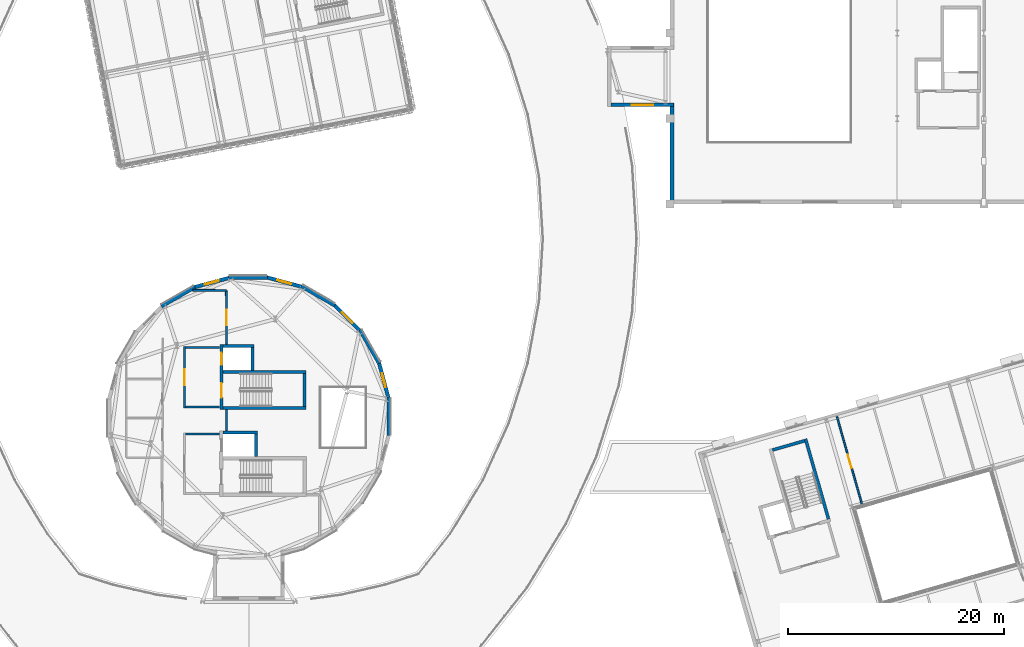
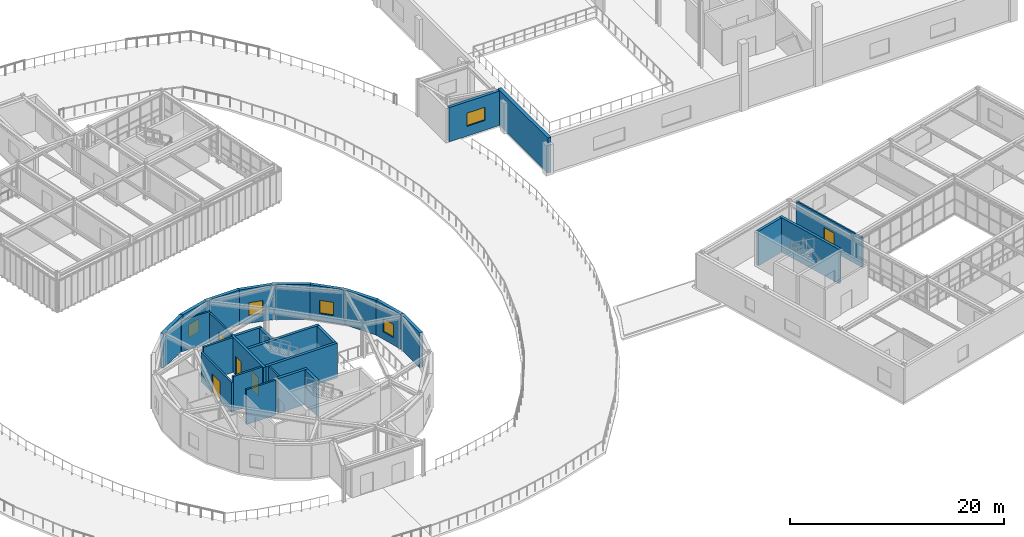
# One storey, part 34 of 59: 29 walls, 5 doors, 5 windows, 10 openings.
"""IFC4 building model written with IfcOpenShell, lengths in metres."""

from ifc_helpers import new_model, si_unit, direction, frame, frame_2d, origin, place, context, subcontext, project, spatial, rectangle, extrude, material, layer, layer_set, type_object, element, fill, save


model = new_model("IFC4")

# Units and contexts
model_context = context("Model", 3, precision=1e-05, world=origin(), true_north=direction((0.0, 1.0)))
body_context = subcontext(model_context, "Body", "Model", "MODEL_VIEW")
ifc_project = project(units=[si_unit("LENGTHUNIT", "METRE"), si_unit("AREAUNIT", "SQUARE_METRE"), si_unit("VOLUMEUNIT", "CUBIC_METRE"), si_unit("PLANEANGLEUNIT", "RADIAN"), si_unit("MASSUNIT", "GRAM", prefix="KILO")], contexts=[model_context])

# Site, building, storey
site_placement = place(None, origin())
site = spatial("IfcSite", under=ifc_project, at=site_placement, CompositionType="ELEMENT")
building_placement = place(site_placement, origin())
building = spatial("IfcBuilding", under=site, at=building_placement, Name="Varnklinge Art Gallery", CompositionType="ELEMENT")
storey_placement = place(building_placement, frame((0.0, 0.0, 9.52001953125)))
storey = spatial("IfcBuildingStorey", under=building, at=storey_placement, Name="L02", CompositionType="ELEMENT", Elevation=9.52001953125)

# Wall, opening, window
ifc_material_1 = material(Name="Precast concrete C40/50", Category="concrete")
ifc_layer_1 = layer(ifc_material_1, 0.320068359375)
ifc_layer_set_1 = layer_set([ifc_layer_1], Name="Precast concrete C40/50")
wall_type_1 = type_object("IfcWallType", Name="EW-32", PredefinedType="SOLIDWALL", material=ifc_layer_set_1)
wall_1_placement = place(storey_placement, frame((114.75, 67.360107421875, 0.0), z_axis=(0.0, 0.0, 1.0), x_axis=(-1.0, 0.0, 0.0)))
wall_1 = element("IfcWall", 1, at=wall_1_placement, inside=storey, type_object=wall_type_1, Name="L02 Gallery Link Wall EW-LNK-V1-L02-S", PredefinedType="SOLIDWALL", context=body_context, shape_type="SweptSolid", body=[
    extrude(rectangle(XDim=5.775634765625, YDim=0.320068359375, at=frame_2d((2.8876953125, 0.0))), origin(), (0.0, 0.0, 1.0), 3.909912109375),
])
opening_1_placement = place(wall_1_placement, frame((1.912841796875, 0.0, 1.1201171875)))
opening_1 = element("IfcOpeningElement", 2, at=opening_1_placement, cuts=wall_1, Name="Opening WN-05", PredefinedType="OPENING", context=body_context, shape_type="SweptSolid", body=[
    extrude(rectangle(XDim=1.949951171875, YDim=1.5, at=frame_2d((0.97509765625, 0.75))), frame((0.0, 0.170166015625, 0.0), z_axis=(0.0, -1.0, 0.0), x_axis=(1.0, 0.0, 0.0)), (0.0, 0.0, 1.0), 0.340087890625),
])
ifc_material_2 = material(Name="Insulated Low-E Triple Glazing", Category="glass")
window_type_1 = type_object("IfcWindowType", Name="WN-05", PartitioningType="SINGLE_PANEL", PredefinedType="WINDOW", material=ifc_material_2)
window_1_placement = place(opening_1_placement, origin())
window_1 = element("IfcWindow", 3, at=window_1_placement, inside=storey, type_object=window_type_1, Name="L02 Window WIN-L02-212", OverallHeight=1.5, OverallWidth=1.949951171875, PartitioningType="SINGLE_PANEL", PredefinedType="WINDOW", context=body_context, shape_type="SweptSolid", body=[
    extrude(rectangle(XDim=1.949951171875, YDim=1.5, at=frame_2d((0.97509765625, 0.75))), frame((0.0, 0.030029296875, 0.0), z_axis=(0.0, -1.0, 0.0), x_axis=(1.0, 0.0, 0.0)), (0.0, 0.0, 1.0), 0.06005859375),
])
fill(opening_1, window_1)

# Walls
ifc_material_3 = material(Name="Precast concrete C40/50", Category="concrete")
ifc_layer_2 = layer(ifc_material_3, 0.340087890625)
ifc_layer_set_2 = layer_set([ifc_layer_2], Name="Precast concrete C40/50")
wall_type_2 = type_object("IfcWallType", Name="EW-34", PredefinedType="SOLIDWALL", material=ifc_layer_set_2)
wall_2_placement = place(storey_placement, frame((88.4169921875, 40.37060546875, 0.0), z_axis=(0.0, 0.0, 1.0), x_axis=(0.0, -1.0, 0.0)))
element("IfcWall", 4, at=wall_2_placement, inside=storey, type_object=wall_type_2, Name="L02 Exterior Wall EW-V4D-L02-01", PredefinedType="SOLIDWALL", context=body_context, shape_type="SweptSolid", body=[
    extrude(rectangle(XDim=3.571044921875, YDim=0.340087890625, at=frame_2d((1.78564453125, 0.0))), origin(), (0.0, 0.0, 1.0), 3.9599609375),
])
wall_3_placement = place(storey_placement, frame((67.42138671875, 48.751220703125, 0.0), z_axis=(0.0, 0.0, 1.0), x_axis=(0.866021650523, 0.500006500783, 0.0)))
element("IfcWall", 5, at=wall_3_placement, inside=storey, type_object=wall_type_2, Name="L02 Exterior Wall EW-V4D-L02-16", PredefinedType="SOLIDWALL", context=body_context, shape_type="SweptSolid", body=[
    extrude(rectangle(XDim=3.5712890625, YDim=0.340087890625, at=frame_2d((1.78564453125, 0.0))), origin(), (0.0, 0.0, 1.0), 3.9599609375),
])

# Wall, opening, window
wall_4_placement = place(storey_placement, frame((70.35009765625, 50.492919921875, 0.0), z_axis=(0.0, 0.0, 1.0), x_axis=(0.965940423242, 0.258764562387, 0.0)))
wall_4 = element("IfcWall", 6, at=wall_4_placement, inside=storey, type_object=wall_type_2, Name="L02 Exterior Wall EW-V4D-L02-17", PredefinedType="SOLIDWALL", context=body_context, shape_type="SweptSolid", body=[
    extrude(rectangle(XDim=3.571044921875, YDim=0.340087890625, at=frame_2d((1.78564453125, 0.0))), origin(), (0.0, 0.0, 1.0), 3.9599609375),
])
opening_2_placement = place(wall_4_placement, frame((1.110595703125, 0.0, 0.85009765625)))
opening_2 = element("IfcOpeningElement", 7, at=opening_2_placement, cuts=wall_4, Name="Opening WN-02", PredefinedType="OPENING", context=body_context, shape_type="SweptSolid", body=[
    extrude(rectangle(XDim=1.35009765625, YDim=1.5, at=frame_2d((0.675048828125, 0.75))), frame((0.0, 0.179931640625, 0.0), z_axis=(0.0, -1.0, 0.0), x_axis=(1.0, 0.0, 0.0)), (0.0, 0.0, 1.0), 0.360107421875),
])
ifc_material_4 = material(Name="Insulated Low-E Triple Glazing", Category="glass")
window_type_2 = type_object("IfcWindowType", Name="WN-02", PartitioningType="SINGLE_PANEL", PredefinedType="WINDOW", material=ifc_material_4)
window_2_placement = place(opening_2_placement, origin())
window_2 = element("IfcWindow", 8, at=window_2_placement, inside=storey, type_object=window_type_2, Name="L02 Window WIN-L02-092", OverallHeight=1.5, OverallWidth=1.35009765625, PartitioningType="SINGLE_PANEL", PredefinedType="WINDOW", context=body_context, shape_type="SweptSolid", body=[
    extrude(rectangle(XDim=1.35009765625, YDim=1.5, at=frame_2d((0.675048828125, 0.75))), frame((0.0, 0.030029296875, 0.0), z_axis=(0.0, -1.0, 0.0), x_axis=(1.0, 0.0, 0.0)), (0.0, 0.0, 1.0), 0.06005859375),
])
fill(opening_2, window_2)

# Wall
wall_5_placement = place(storey_placement, frame((73.62939453125, 51.4169921875, 0.0), z_axis=(0.0, 0.0, 1.0), x_axis=(1.0, 0.0, 0.0)))
element("IfcWall", 9, at=wall_5_placement, inside=storey, type_object=wall_type_2, Name="L02 Exterior Wall EW-V4D-L02-18", PredefinedType="SOLIDWALL", context=body_context, shape_type="SweptSolid", body=[
    extrude(rectangle(XDim=3.571044921875, YDim=0.340087890625, at=frame_2d((1.78564453125, 0.0))), origin(), (0.0, 0.0, 1.0), 3.9599609375),
])

# Wall, opening, window
wall_6_placement = place(storey_placement, frame((77.036376953125, 51.461181640625, 0.0), z_axis=(0.0, 0.0, 1.0), x_axis=(0.965923333327, -0.258828348784, 0.0)))
wall_6 = element("IfcWall", 10, at=wall_6_placement, inside=storey, type_object=wall_type_2, Name="L02 Exterior Wall EW-V4D-L02-19", PredefinedType="SOLIDWALL", context=body_context, shape_type="SweptSolid", body=[
    extrude(rectangle(XDim=3.571044921875, YDim=0.340087890625, at=frame_2d((1.78564453125, 0.0))), origin(), (0.0, 0.0, 1.0), 3.9599609375),
])
opening_3_placement = place(wall_6_placement, frame((1.110595703125, 0.0, 0.85009765625)))
opening_3 = element("IfcOpeningElement", 11, at=opening_3_placement, cuts=wall_6, Name="Opening WN-02", PredefinedType="OPENING", context=body_context, shape_type="SweptSolid", body=[
    extrude(rectangle(XDim=1.35009765625, YDim=1.5, at=frame_2d((0.675048828125, 0.75))), frame((0.0, 0.179931640625, 0.0), z_axis=(0.0, -1.0, 0.0), x_axis=(1.0, 0.0, 0.0)), (0.0, 0.0, 1.0), 0.360107421875),
])
window_3_placement = place(opening_3_placement, origin())
window_3 = element("IfcWindow", 12, at=window_3_placement, inside=storey, type_object=window_type_2, Name="L02 Window WIN-L02-093", OverallHeight=1.5, OverallWidth=1.35009765625, PartitioningType="SINGLE_PANEL", PredefinedType="WINDOW", context=body_context, shape_type="SweptSolid", body=[
    extrude(rectangle(XDim=1.35009765625, YDim=1.5, at=frame_2d((0.675048828125, 0.75))), frame((0.0, 0.030029296875, 0.0), z_axis=(0.0, -1.0, 0.0), x_axis=(1.0, 0.0, 0.0)), (0.0, 0.0, 1.0), 0.06005859375),
])
fill(opening_3, window_3)

# Wall
wall_7_placement = place(storey_placement, frame((80.338623046875, 50.621826171875, 0.0), z_axis=(0.0, 0.0, 1.0), x_axis=(0.866021650523, -0.500006500783, 0.0)))
element("IfcWall", 13, at=wall_7_placement, inside=storey, type_object=wall_type_2, Name="L02 Exterior Wall EW-V4D-L02-20", PredefinedType="SOLIDWALL", context=body_context, shape_type="SweptSolid", body=[
    extrude(rectangle(XDim=3.5712890625, YDim=0.340087890625, at=frame_2d((1.78564453125, 0.0))), origin(), (0.0, 0.0, 1.0), 3.9599609375),
])

# Wall, opening, window
wall_8_placement = place(storey_placement, frame((83.31103515625, 48.95654296875, 0.0), z_axis=(0.0, 0.0, 1.0), x_axis=(0.707106781187, -0.707106781187, 0.0)))
wall_8 = element("IfcWall", 14, at=wall_8_placement, inside=storey, type_object=wall_type_2, Name="L02 Exterior Wall EW-V4D-L02-21", PredefinedType="SOLIDWALL", context=body_context, shape_type="SweptSolid", body=[
    extrude(rectangle(XDim=3.571044921875, YDim=0.340087890625, at=frame_2d((1.78564453125, 0.0))), origin(), (0.0, 0.0, 1.0), 3.9599609375),
])
opening_4_placement = place(wall_8_placement, frame((1.110595703125, 0.0, 0.85009765625)))
opening_4 = element("IfcOpeningElement", 15, at=opening_4_placement, cuts=wall_8, Name="Opening WN-02", PredefinedType="OPENING", context=body_context, shape_type="SweptSolid", body=[
    extrude(rectangle(XDim=1.35009765625, YDim=1.5, at=frame_2d((0.675048828125, 0.75))), frame((0.0, 0.179931640625, 0.0), z_axis=(0.0, -1.0, 0.0), x_axis=(1.0, 0.0, 0.0)), (0.0, 0.0, 1.0), 0.360107421875),
])
window_4_placement = place(opening_4_placement, origin())
window_4 = element("IfcWindow", 16, at=window_4_placement, inside=storey, type_object=window_type_2, Name="L02 Window WIN-L02-094", OverallHeight=1.5, OverallWidth=1.35009765625, PartitioningType="SINGLE_PANEL", PredefinedType="WINDOW", context=body_context, shape_type="SweptSolid", body=[
    extrude(rectangle(XDim=1.35009765625, YDim=1.5, at=frame_2d((0.675048828125, 0.75))), frame((0.0, 0.030029296875, 0.0), z_axis=(0.0, -1.0, 0.0), x_axis=(1.0, 0.0, 0.0)), (0.0, 0.0, 1.0), 0.06005859375),
])
fill(opening_4, window_4)

# Wall
wall_9_placement = place(storey_placement, frame((85.751220703125, 46.57861328125, 0.0), z_axis=(0.0, 0.0, 1.0), x_axis=(0.500006500783, -0.866021650523, 0.0)))
element("IfcWall", 17, at=wall_9_placement, inside=storey, type_object=wall_type_2, Name="L02 Exterior Wall EW-V4D-L02-22", PredefinedType="SOLIDWALL", context=body_context, shape_type="SweptSolid", body=[
    extrude(rectangle(XDim=3.5712890625, YDim=0.340087890625, at=frame_2d((1.78564453125, 0.0))), origin(), (0.0, 0.0, 1.0), 3.9599609375),
])

# Wall, opening, window
wall_10_placement = place(storey_placement, frame((87.492919921875, 43.64990234375, 0.0), z_axis=(0.0, 0.0, 1.0), x_axis=(0.258764562387, -0.965940423242, 0.0)))
wall_10 = element("IfcWall", 18, at=wall_10_placement, inside=storey, type_object=wall_type_2, Name="L02 Exterior Wall EW-V4D-L02-23", PredefinedType="SOLIDWALL", context=body_context, shape_type="SweptSolid", body=[
    extrude(rectangle(XDim=3.571044921875, YDim=0.340087890625, at=frame_2d((1.78564453125, 0.0))), origin(), (0.0, 0.0, 1.0), 3.9599609375),
])
opening_5_placement = place(wall_10_placement, frame((1.110595703125, 0.0, 0.85009765625)))
opening_5 = element("IfcOpeningElement", 19, at=opening_5_placement, cuts=wall_10, Name="Opening WN-02", PredefinedType="OPENING", context=body_context, shape_type="SweptSolid", body=[
    extrude(rectangle(XDim=1.35009765625, YDim=1.5, at=frame_2d((0.675048828125, 0.75))), frame((0.0, 0.179931640625, 0.0), z_axis=(0.0, -1.0, 0.0), x_axis=(1.0, 0.0, 0.0)), (0.0, 0.0, 1.0), 0.360107421875),
])
window_5_placement = place(opening_5_placement, origin())
window_5 = element("IfcWindow", 20, at=window_5_placement, inside=storey, type_object=window_type_2, Name="L02 Window WIN-L02-095", OverallHeight=1.5, OverallWidth=1.35009765625, PartitioningType="SINGLE_PANEL", PredefinedType="WINDOW", context=body_context, shape_type="SweptSolid", body=[
    extrude(rectangle(XDim=1.35009765625, YDim=1.5, at=frame_2d((0.675048828125, 0.75))), frame((0.0, 0.030029296875, 0.0), z_axis=(0.0, -1.0, 0.0), x_axis=(1.0, 0.0, 0.0)), (0.0, 0.0, 1.0), 0.06005859375),
])
fill(opening_5, window_5)

# Wall
ifc_material_5 = material(Name="Concrete C40/50", Category="concrete")
ifc_layer_3 = layer(ifc_material_5, 0.360107421875)
ifc_layer_set_3 = layer_set([ifc_layer_3], Name="Concrete C40/50")
wall_type_3 = type_object("IfcWallType", Name="EW-36", PredefinedType="SOLIDWALL", material=ifc_layer_set_3)
wall_11_placement = place(storey_placement, frame((114.580078125, 58.199951171875, 0.0), z_axis=(0.0, 0.0, 1.0), x_axis=(0.0, 1.0, 0.0)))
element("IfcWall", 21, at=wall_11_placement, inside=storey, type_object=wall_type_3, Name="L02 Exterior Wall EW-V1-L02-01", PredefinedType="SOLIDWALL", context=body_context, shape_type="SweptSolid", body=[
    extrude(rectangle(XDim=9.320068359375, YDim=0.360107421875, at=frame_2d((4.66015625, 0.0))), origin(), (0.0, 0.0, 1.0), 4.0),
])

# Wall, opening, door
ifc_material_6 = material(Name="Gypsum Board Partition", Category="gypsum")
ifc_layer_4 = layer(ifc_material_6, 0.159912109375)
ifc_layer_set_4 = layer_set([ifc_layer_4], Name="Gypsum Board Partition")
wall_type_4 = type_object("IfcWallType", Name="IW-16", PredefinedType="PARTITIONING", material=ifc_layer_set_4)
wall_12_placement = place(storey_placement, frame((129.8271484375, 38.555908203125, 0.0), z_axis=(0.0, 0.0, 1.0), x_axis=(0.275653938158, -0.961256940874, 0.0)))
wall_12 = element("IfcWall", 22, at=wall_12_placement, inside=storey, type_object=wall_type_4, Name="L02 Partition Wall IW-L02-0306", PredefinedType="PARTITIONING", context=body_context, shape_type="SweptSolid", body=[
    extrude(rectangle(XDim=8.606201171875, YDim=0.159912109375, at=frame_2d((4.30322265625, 0.0))), origin(), (0.0, 0.0, 1.0), 3.409912109375),
])
opening_6_placement = place(wall_12_placement, frame((3.653076171875, 0.0, 0.0)))
opening_6 = element("IfcOpeningElement", 23, at=opening_6_placement, cuts=wall_12, Name="Opening D-L02-243", PredefinedType="OPENING", context=body_context, shape_type="SweptSolid", body=[
    extrude(rectangle(XDim=1.300048828125, YDim=2.14990234375, at=frame_2d((0.64990234375, 1.074951171875))), frame((0.0, 0.090087890625, 0.0), z_axis=(0.0, -1.0, 0.0), x_axis=(1.0, 0.0, 0.0)), (0.0, 0.0, 1.0), 0.179931640625),
])
ifc_material_7 = material(Name="Oak Timber Leaf", Category="wood")
door_type_1 = type_object("IfcDoorType", Name="ID-11", OperationType="SINGLE_SWING_LEFT", PredefinedType="DOOR", material=ifc_material_7)
door_1_placement = place(opening_6_placement, origin())
door_1 = element("IfcDoor", 24, at=door_1_placement, inside=storey, type_object=door_type_1, Name="L02 L02 Artists Studio 3 Door D-L02-243", OperationType="SINGLE_SWING_LEFT", OverallHeight=2.14990234375, OverallWidth=1.300048828125, PredefinedType="DOOR", context=body_context, shape_type="SweptSolid", body=[
    extrude(rectangle(XDim=1.300048828125, YDim=2.14990234375, at=frame_2d((0.64990234375, 1.074951171875))), frame((0.0, 0.02490234375, 0.0), z_axis=(0.0, -1.0, 0.0), x_axis=(1.0, 0.0, 0.0)), (0.0, 0.0, 1.0), 0.050048828125),
])
fill(opening_6, door_1)

# Wall
ifc_material_8 = material(Name="Gypsum Board Partition", Category="gypsum")
ifc_layer_5 = layer(ifc_material_8, 0.179931640625)
ifc_layer_set_5 = layer_set([ifc_layer_5], Name="Gypsum Board Partition")
wall_type_5 = type_object("IfcWallType", Name="IW-18", PredefinedType="PARTITIONING", material=ifc_layer_set_5)
wall_13_placement = place(storey_placement, frame((70.330810546875, 50.22998046875, 0.0), z_axis=(0.0, 0.0, 1.0), x_axis=(0.999990921946, -0.004260988699, 0.0)))
element("IfcWall", 25, at=wall_13_placement, inside=storey, type_object=wall_type_5, Name="L02 Partition Wall IW-L02-0290", PredefinedType="PARTITIONING", context=body_context, shape_type="SweptSolid", body=[
    extrude(rectangle(XDim=3.093994140625, YDim=0.179931640625, at=frame_2d((1.546875, 0.0))), origin(), (0.0, 0.0, 1.0), 3.550048828125),
])

# Wall, opening, door
wall_14_placement = place(storey_placement, frame((73.4248046875, 50.216796875, 0.0), z_axis=(0.0, 0.0, 1.0), x_axis=(0.0010330573, -0.999999466396, 0.0)))
wall_14 = element("IfcWall", 26, at=wall_14_placement, inside=storey, type_object=wall_type_5, Name="L02 Partition Wall IW-L02-0291", PredefinedType="PARTITIONING", context=body_context, shape_type="SweptSolid", body=[
    extrude(rectangle(XDim=4.962890625, YDim=0.179931640625, at=frame_2d((2.4814453125, 0.0))), origin(), (0.0, 0.0, 1.0), 3.35009765625),
])
opening_7_placement = place(wall_14_placement, frame((1.771484375, 0.0, 0.0)))
opening_7 = element("IfcOpeningElement", 27, at=opening_7_placement, cuts=wall_14, Name="Opening D-L02-233", PredefinedType="OPENING", context=body_context, shape_type="SweptSolid", body=[
    extrude(rectangle(XDim=1.419921875, YDim=2.179931640625, at=frame_2d((0.7099609375, 1.08984375))), frame((0.0, 0.099853515625, 0.0), z_axis=(0.0, -1.0, 0.0), x_axis=(1.0, 0.0, 0.0)), (0.0, 0.0, 1.0), 0.199951171875),
])
ifc_material_9 = material(Name="Oak Timber Leaf", Category="wood")
door_type_2 = type_object("IfcDoorType", Name="ID-07", OperationType="DOUBLE_DOOR_SINGLE_SWING", PredefinedType="DOOR", material=ifc_material_9)
door_2_placement = place(opening_7_placement, origin())
door_2 = element("IfcDoor", 28, at=door_2_placement, inside=storey, type_object=door_type_2, Name="L02 L02 Drum Sound and Light Gallery Door D-L02-233", OperationType="DOUBLE_DOOR_SINGLE_SWING", OverallHeight=2.179931640625, OverallWidth=1.419921875, PredefinedType="DOOR", context=body_context, shape_type="SweptSolid", body=[
    extrude(rectangle(XDim=1.419921875, YDim=2.179931640625, at=frame_2d((0.7099609375, 1.08984375))), frame((0.0, 0.02490234375, 0.0), z_axis=(0.0, -1.0, 0.0), x_axis=(1.0, 0.0, 0.0)), (0.0, 0.0, 1.0), 0.050048828125),
])
fill(opening_7, door_2)

# Walls
wall_15_placement = place(storey_placement, frame((73.429931640625, 39.2060546875, 0.0), z_axis=(0.0, 0.0, 1.0), x_axis=(0.0, -1.0, 0.0)))
element("IfcWall", 29, at=wall_15_placement, inside=storey, type_object=wall_type_5, Name="L02 Partition Wall IW-L02-0292", PredefinedType="PARTITIONING", context=body_context, shape_type="SweptSolid", body=[
    extrude(rectangle(XDim=1.942138671875, YDim=0.179931640625, at=frame_2d((0.97119140625, 0.0))), origin(), (0.0, 0.0, 1.0), 3.949951171875),
])
ifc_material_10 = material(Name="Concrete C40/50", Category="concrete")
ifc_layer_6 = layer(ifc_material_10, 0.199951171875)
ifc_layer_set_6 = layer_set([ifc_layer_6], Name="Concrete C40/50")
wall_type_6 = type_object("IfcWallType", Name="IW-20", PredefinedType="PARTITIONING", material=ifc_layer_set_6)
for number, where, z_axis, x_axis, name in (
    (30, (72.800048828125, 36.9599609375, 0.0), (0.0, 0.0, 1.0), (-1.0, 0.0, 0.0), "L02 Core C1 Lobby North Wall"),
    (31, (69.64990234375, 39.449951171875, 0.0), (0.0, 0.0, 1.0), (1.0, 0.0, 0.0), "L02 Core C2 Lobby South Wall"),
    (32, (72.800048828125, 44.9599609375, 0.0), (0.0, 0.0, 1.0), (-1.0, 0.0, 0.0), "L02 Core C2 Lobby North Wall"),
):
    element("IfcWall", number, at=place(storey_placement, frame(where, z_axis=z_axis, x_axis=x_axis)), inside=storey, type_object=wall_type_6, Name=name, PredefinedType="PARTITIONING", context=body_context, shape_type="SweptSolid", body=[
        extrude(rectangle(XDim=3.150146484375, YDim=0.199951171875, at=frame_2d((1.5751953125, 0.0))), origin(), (0.0, 0.0, 1.0), 3.9599609375),
    ])

# Wall, opening, door
wall_16_placement = place(storey_placement, frame((69.550048828125, 39.35009765625, 0.0), z_axis=(0.0, 0.0, 1.0), x_axis=(0.0, 1.0, 0.0)))
wall_16 = element("IfcWall", 33, at=wall_16_placement, inside=storey, type_object=wall_type_6, Name="L02 Core C2 Lobby Corridor Wall", PredefinedType="PARTITIONING", context=body_context, shape_type="SweptSolid", body=[
    extrude(rectangle(XDim=5.7099609375, YDim=0.199951171875, at=frame_2d((2.85498046875, 0.0))), origin(), (0.0, 0.0, 1.0), 3.35009765625),
])
opening_8_placement = place(wall_16_placement, frame((2.114990234375, 0.0, 0.0)))
opening_8 = element("IfcOpeningElement", 34, at=opening_8_placement, cuts=wall_16, Name="Opening D-L02-036", PredefinedType="OPENING", context=body_context, shape_type="SweptSolid", body=[
    extrude(rectangle(XDim=1.47998046875, YDim=2.14990234375, at=frame_2d((0.739990234375, 1.074951171875))), frame((0.0, 0.110107421875, 0.0), z_axis=(0.0, -1.0, 0.0), x_axis=(1.0, 0.0, 0.0)), (0.0, 0.0, 1.0), 0.219970703125),
])
ifc_material_11 = material(Name="Galvanised Fire-Rated Steel", Category="steel")
door_type_3 = type_object("IfcDoorType", Name="ID-LB1", OperationType="DOUBLE_DOOR_SINGLE_SWING", PredefinedType="DOOR", material=ifc_material_11)
door_3_placement = place(opening_8_placement, origin())
door_3 = element("IfcDoor", 35, at=door_3_placement, inside=storey, type_object=door_type_3, Name="L02 Core C2 Protected Lobby Door D-L02-036", OperationType="DOUBLE_DOOR_SINGLE_SWING", OverallHeight=2.14990234375, OverallWidth=1.47998046875, PredefinedType="DOOR", context=body_context, shape_type="SweptSolid", body=[
    extrude(rectangle(XDim=1.47998046875, YDim=2.14990234375, at=frame_2d((0.739990234375, 1.074951171875))), frame((0.0, 0.02490234375, 0.0), z_axis=(0.0, -1.0, 0.0), x_axis=(1.0, 0.0, 0.0)), (0.0, 0.0, 1.0), 0.050048828125),
])
fill(opening_8, door_3)

# Walls
ifc_material_12 = material(Name="Concrete C40/50", Category="concrete")
ifc_layer_7 = layer(ifc_material_12, 0.280029296875)
ifc_layer_set_7 = layer_set([ifc_layer_7], Name="Concrete C40/50")
wall_type_7 = type_object("IfcWallType", Name="SW-28", PredefinedType="SHEAR", material=ifc_layer_set_7)
wall_17_placement = place(storey_placement, frame((73.090087890625, 39.35009765625, 0.0), z_axis=(0.0, 0.0, 1.0), x_axis=(1.0, 0.0, 0.0)))
element("IfcWall", 36, at=wall_17_placement, inside=storey, type_object=wall_type_7, Name="L02 Core C2 South Shear Wall", PredefinedType="SHEAR", context=body_context, shape_type="SweptSolid", body=[
    extrude(rectangle(XDim=7.699951171875, YDim=0.280029296875, at=frame_2d((3.85009765625, 0.0))), origin(), (0.0, 0.0, 1.0), 3.9599609375),
])
wall_18_placement = place(storey_placement, frame((80.64990234375, 39.489990234375, 0.0), z_axis=(0.0, 0.0, 1.0), x_axis=(0.0, 1.0, 0.0)))
element("IfcWall", 37, at=wall_18_placement, inside=storey, type_object=wall_type_7, Name="L02 Core C2 East Shear Wall", PredefinedType="SHEAR", context=body_context, shape_type="SweptSolid", body=[
    extrude(rectangle(XDim=3.080078125, YDim=0.280029296875, at=frame_2d((1.5400390625, 0.0))), origin(), (0.0, 0.0, 1.0), 3.9599609375),
])
wall_19_placement = place(storey_placement, frame((80.7900390625, 42.7099609375, 0.0), z_axis=(0.0, 0.0, 1.0), x_axis=(-1.0, 0.0, 0.0)))
element("IfcWall", 38, at=wall_19_placement, inside=storey, type_object=wall_type_7, Name="L02 Core C2 Dividing Shear Wall", PredefinedType="SHEAR", context=body_context, shape_type="SweptSolid", body=[
    extrude(rectangle(XDim=7.699951171875, YDim=0.280029296875, at=frame_2d((3.85009765625, 0.0))), origin(), (0.0, 0.0, 1.0), 3.9599609375),
])
wall_20_placement = place(storey_placement, frame((75.85009765625, 42.85009765625, 0.0), z_axis=(0.0, 0.0, 1.0), x_axis=(0.0, 1.0, 0.0)))
element("IfcWall", 39, at=wall_20_placement, inside=storey, type_object=wall_type_7, Name="L02 Core C2 Lift East Shear Wall", PredefinedType="SHEAR", context=body_context, shape_type="SweptSolid", body=[
    extrude(rectangle(XDim=2.119873046875, YDim=0.280029296875, at=frame_2d((1.06005859375, 0.0))), origin(), (0.0, 0.0, 1.0), 3.9599609375),
])
wall_21_placement = place(storey_placement, frame((75.989990234375, 45.110107421875, 0.0), z_axis=(0.0, 0.0, 1.0), x_axis=(-1.0, 0.0, 0.0)))
element("IfcWall", 40, at=wall_21_placement, inside=storey, type_object=wall_type_7, Name="L02 Core C2 Lift North Shear Wall", PredefinedType="SHEAR", context=body_context, shape_type="SweptSolid", body=[
    extrude(rectangle(XDim=2.89990234375, YDim=0.280029296875, at=frame_2d((1.449951171875, 0.0))), origin(), (0.0, 0.0, 1.0), 3.9599609375),
])

# Wall, openings, doors
wall_22_placement = place(storey_placement, frame((72.949951171875, 45.25, 0.0), z_axis=(0.0, 0.0, 1.0), x_axis=(0.0, -1.0, 0.0)))
wall_22 = element("IfcWall", 41, at=wall_22_placement, inside=storey, type_object=wall_type_7, Name="L02 Core C2 Front Shear Wall", PredefinedType="SHEAR", context=body_context, shape_type="SweptSolid", body=[
    extrude(rectangle(XDim=6.0400390625, YDim=0.280029296875, at=frame_2d((3.02001953125, 0.0))), origin(), (0.0, 0.0, 1.0), 3.9599609375),
])
opening_9_placement = place(wall_22_placement, frame((0.800048828125, 0.0, 0.0)))
opening_9 = element("IfcOpeningElement", 42, at=opening_9_placement, cuts=wall_22, Name="Opening LD-L02-034", PredefinedType="OPENING", context=body_context, shape_type="SweptSolid", body=[
    extrude(rectangle(XDim=1.10009765625, YDim=2.1201171875, at=frame_2d((0.550048828125, 1.06005859375))), frame((0.0, 0.150146484375, 0.0), z_axis=(0.0, -1.0, 0.0), x_axis=(1.0, 0.0, 0.0)), (0.0, 0.0, 1.0), 0.300048828125),
])
opening_10_placement = place(wall_22_placement, frame((3.60009765625, 0.0, 0.0)))
opening_10 = element("IfcOpeningElement", 43, at=opening_10_placement, cuts=wall_22, Name="Opening D-L02-035", PredefinedType="OPENING", context=body_context, shape_type="SweptSolid", body=[
    extrude(rectangle(XDim=1.320068359375, YDim=2.1201171875, at=frame_2d((0.66015625, 1.06005859375))), frame((0.0, 0.150146484375, 0.0), z_axis=(0.0, -1.0, 0.0), x_axis=(1.0, 0.0, 0.0)), (0.0, 0.0, 1.0), 0.300048828125),
])
ifc_material_13 = material(Name="Galvanised Fire-Rated Steel", Category="steel")
door_type_4 = type_object("IfcDoorType", Name="ID-ST1", OperationType="SINGLE_SWING_LEFT", PredefinedType="DOOR", material=ifc_material_13)
door_4_placement = place(opening_10_placement, origin())
door_4 = element("IfcDoor", 44, at=door_4_placement, inside=storey, type_object=door_type_4, Name="L02 Stair ST-02 Fire Door D-L02-035", OperationType="SINGLE_SWING_RIGHT", OverallHeight=2.1201171875, OverallWidth=1.320068359375, PredefinedType="DOOR", context=body_context, shape_type="SweptSolid", body=[
    extrude(rectangle(XDim=1.320068359375, YDim=2.1201171875, at=frame_2d((0.66015625, 1.06005859375))), frame((0.0, 0.02490234375, 0.0), z_axis=(0.0, -1.0, 0.0), x_axis=(1.0, 0.0, 0.0)), (0.0, 0.0, 1.0), 0.050048828125),
])
fill(opening_10, door_4)
ifc_material_14 = material(Name="Anodised Aluminium", Category="aluminium")
door_type_5 = type_object("IfcDoorType", Name="LD-PAX", OperationType="SLIDING_TO_LEFT", PredefinedType="DOOR", material=ifc_material_14)
door_5_placement = place(opening_9_placement, origin())
door_5 = element("IfcDoor", 45, at=door_5_placement, inside=storey, type_object=door_type_5, Name="L02 LF-02 Sliding Landing Door LD-L02-034", OperationType="SLIDING_TO_LEFT", OverallHeight=2.1201171875, OverallWidth=1.10009765625, PredefinedType="DOOR", context=body_context, shape_type="SweptSolid", body=[
    extrude(rectangle(XDim=1.10009765625, YDim=2.1201171875, at=frame_2d((0.550048828125, 1.06005859375))), frame((0.0, 0.02490234375, 0.0), z_axis=(0.0, -1.0, 0.0), x_axis=(1.0, 0.0, 0.0)), (0.0, 0.0, 1.0), 0.050048828125),
])
fill(opening_9, door_5)

# Walls
wall_23_placement = place(storey_placement, frame((129.050537109375, 29.10205078125, 0.0), z_axis=(0.0, 0.0, 1.0), x_axis=(-0.275629742399, 0.961263879018, 0.0)))
element("IfcWall", 46, at=wall_23_placement, inside=storey, type_object=wall_type_7, Name="L02 Core C5 South Shear Wall", PredefinedType="SHEAR", context=body_context, shape_type="SweptSolid", body=[
    extrude(rectangle(XDim=7.699951171875, YDim=0.280029296875, at=frame_2d((3.85009765625, 0.0))), origin(), (0.0, 0.0, 1.0), 3.919921875),
])
wall_24_placement = place(storey_placement, frame((126.832275390625, 36.33056640625, 0.0), z_axis=(0.0, 0.0, 1.0), x_axis=(-0.961269283639, -0.275610892984, 0.0)))
element("IfcWall", 47, at=wall_24_placement, inside=storey, type_object=wall_type_7, Name="L02 Core C5 East Shear Wall", PredefinedType="SHEAR", context=body_context, shape_type="SweptSolid", body=[
    extrude(rectangle(XDim=3.080078125, YDim=0.280029296875, at=frame_2d((1.5400390625, 0.0))), origin(), (0.0, 0.0, 1.0), 3.919921875),
])
ifc_material_15 = material(Name="Concrete C40/50", Category="concrete")
ifc_layer_8 = layer(ifc_material_15, 0.300048828125)
ifc_layer_set_8 = layer_set([ifc_layer_8], Name="Concrete C40/50")
wall_type_8 = type_object("IfcWallType", Name="SW-30", PredefinedType="SHEAR", material=ifc_layer_set_8)
wall_25_placement = place(storey_placement, frame((76.14990234375, 34.860107421875, 0.0), z_axis=(0.0, 0.0, 1.0), x_axis=(0.0, 1.0, 0.0)))
element("IfcWall", 48, at=wall_25_placement, inside=storey, type_object=wall_type_8, Name="L02 Core C1 Lift East Shear Wall", PredefinedType="SHEAR", context=body_context, shape_type="SweptSolid", body=[
    extrude(rectangle(XDim=2.099853515625, YDim=0.300048828125, at=frame_2d((1.0498046875, 0.0))), origin(), (0.0, 0.0, 1.0), 3.9599609375),
])
wall_26_placement = place(storey_placement, frame((76.300048828125, 37.110107421875, 0.0), z_axis=(0.0, 0.0, 1.0), x_axis=(-1.0, 0.0, 0.0)))
element("IfcWall", 49, at=wall_26_placement, inside=storey, type_object=wall_type_8, Name="L02 Core C1 Lift North Shear Wall", PredefinedType="SHEAR", context=body_context, shape_type="SweptSolid", body=[
    extrude(rectangle(XDim=3.199951171875, YDim=0.300048828125, at=frame_2d((1.60009765625, 0.0))), origin(), (0.0, 0.0, 1.0), 3.9599609375),
])

save(model, "model.ifc")
